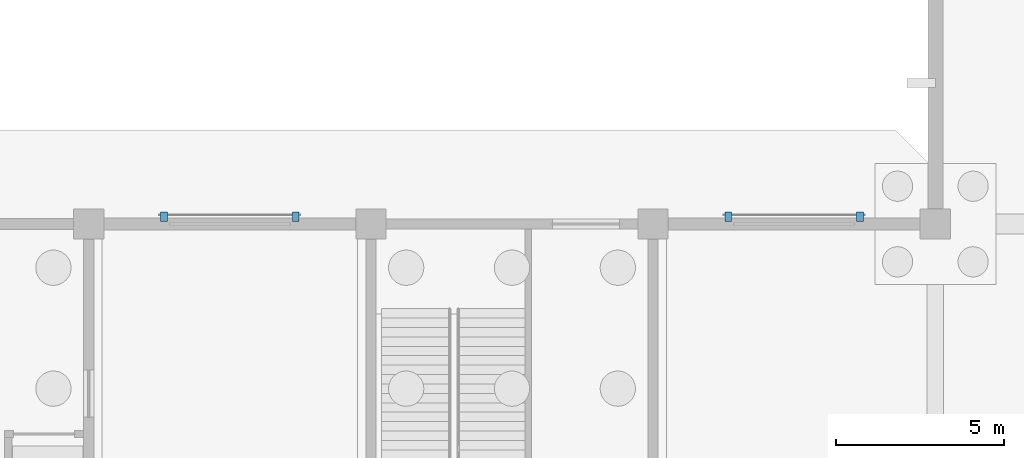
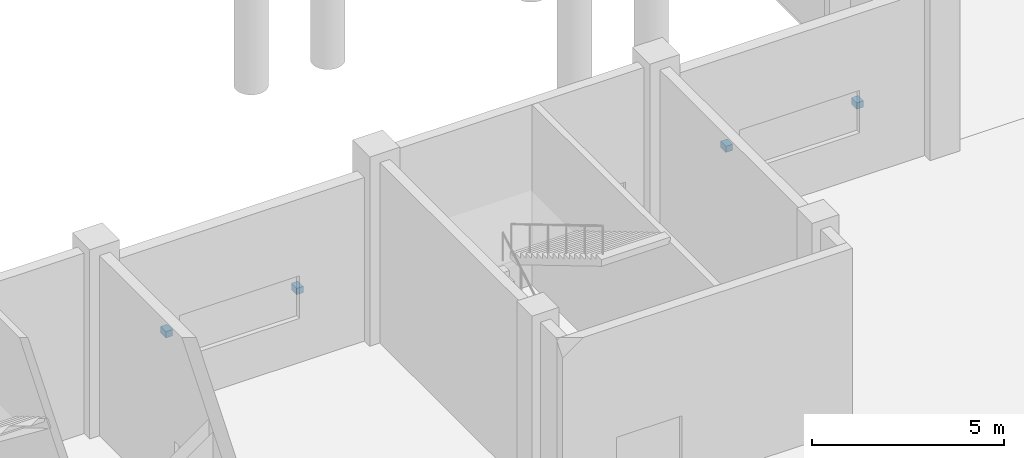
# One storey, part 67 of 72: 4 discrete accessories.
"""IFC4 building model written with IfcOpenShell, lengths in metres."""

from ifc_helpers import new_model, si_unit, direction, frame, origin, origin_2d, place, context, subcontext, project, spatial, rectangle, extrude, material, type_object, element, save


model = new_model("IFC4")

# Units and contexts
model_context = context("Model", 3, precision=1e-05, world=origin(), true_north=direction((0.0, 1.0)))
body_context = subcontext(model_context, "Body", "Model", "MODEL_VIEW")
ifc_project = project(units=[si_unit("LENGTHUNIT", "METRE"), si_unit("AREAUNIT", "SQUARE_METRE"), si_unit("VOLUMEUNIT", "CUBIC_METRE"), si_unit("PLANEANGLEUNIT", "RADIAN"), si_unit("MASSUNIT", "GRAM", prefix="KILO")], contexts=[model_context])

# Site, building, storey
site_placement = place(None, origin())
site = spatial("IfcSite", under=ifc_project, at=site_placement, CompositionType="ELEMENT")
building_placement = place(site_placement, origin())
building = spatial("IfcBuilding", under=site, at=building_placement, Name="Qawsi Khor Wholesale Market", CompositionType="ELEMENT")
storey_placement = place(building_placement, origin())
storey = spatial("IfcBuildingStorey", under=building, at=storey_placement, Name="L00", CompositionType="ELEMENT", Elevation=0.0)

# Discrete accessories
ifc_material = material(Name="Steel S355", Category="steel")
discrete_accessory_type = type_object("IfcDiscreteAccessoryType", Name="Screen Fixing Bracket Steel S355", PredefinedType="BRACKET", material=ifc_material)
for number, where, z_axis, x_axis, name in (
    (1, (10.639892578125, 109.4150390625, 1.97509765625), (0.0, 0.0, 1.0), (1.0, 0.0, 0.0), "Screen bracket 069-1"),
    (2, (14.56005859375, 109.4150390625, 1.97509765625), (0.0, 0.0, 1.0), (1.0, 0.0, 0.0), "Screen bracket 069-2"),
    (3, (27.43994140625, 109.4150390625, 1.97509765625), (0.0, 0.0, 1.0), (1.0, 0.0, 0.0), "Screen bracket 070-1"),
    (4, (31.360107421875, 109.4150390625, 1.97509765625), (0.0, 0.0, 1.0), (1.0, 0.0, 0.0), "Screen bracket 070-2"),
):
    element("IfcDiscreteAccessory", number, at=place(storey_placement, frame(where, z_axis=z_axis, x_axis=x_axis)), inside=storey, type_object=discrete_accessory_type, Name=name, PredefinedType="BRACKET", context=body_context, shape_type="SweptSolid", body=[
        extrude(rectangle(XDim=0.199951171875, YDim=0.280029296875, at=origin_2d()), origin(), (0.0, 0.0, 1.0), 0.199951171875),
    ])

save(model, "model.ifc")
